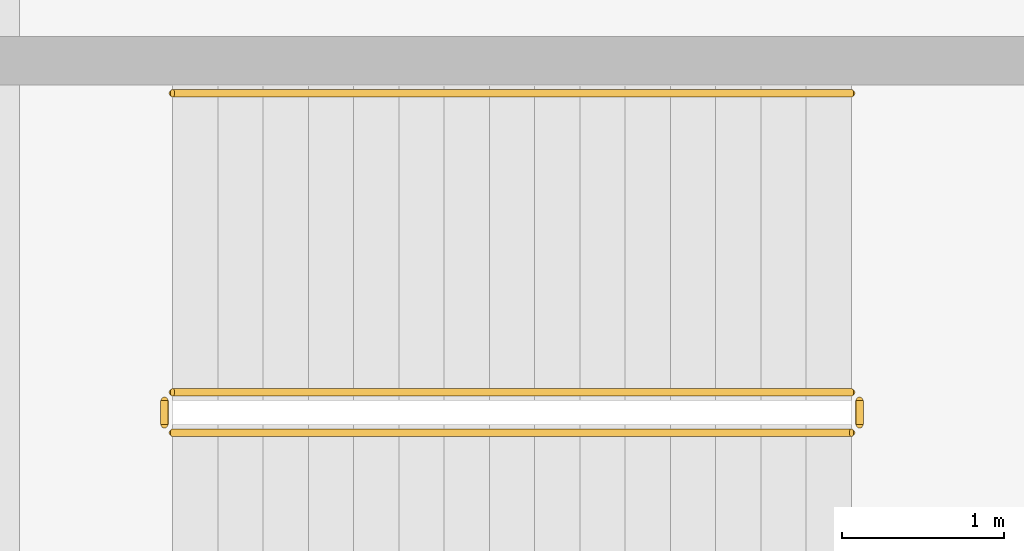
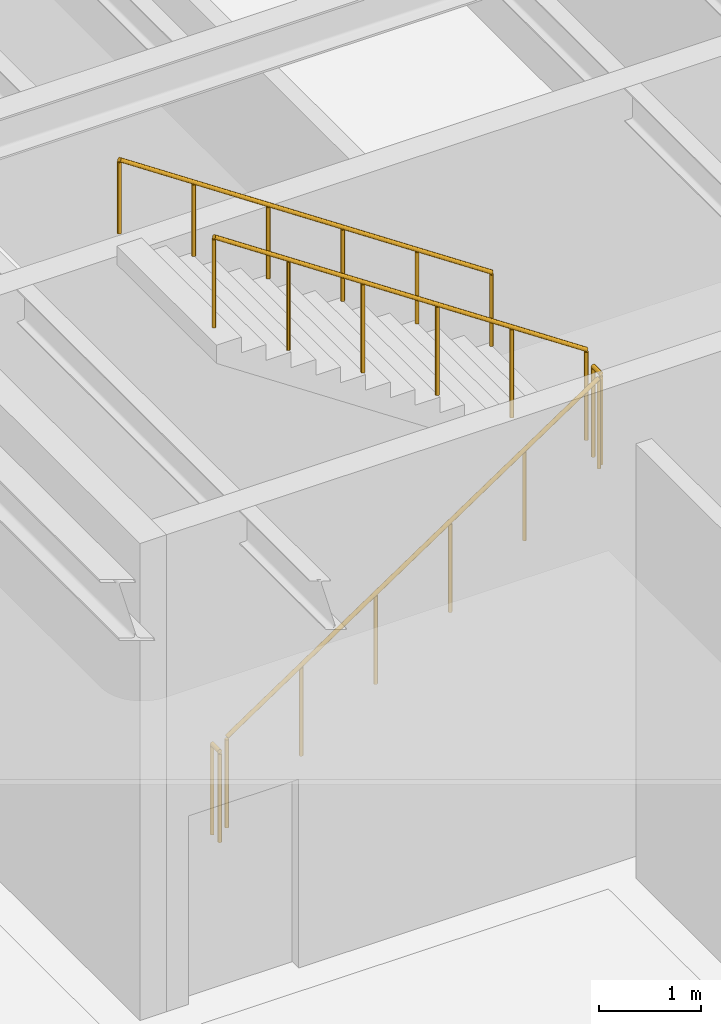
# One storey, part 64 of 83: 5 railings.
"""IFC4 building model written with IfcOpenShell, lengths in metres."""

from ifc_helpers import new_model, si_unit, direction, frame, origin, origin_2d, place, context, subcontext, project, spatial, circle, extrude, material, type_object, element, save


model = new_model("IFC4")

# Units and contexts
model_context = context("Model", 3, precision=1e-05, world=origin(), true_north=direction((0.0, 1.0)))
body_context = subcontext(model_context, "Body", "Model", "MODEL_VIEW")
ifc_project = project(units=[si_unit("LENGTHUNIT", "METRE"), si_unit("AREAUNIT", "SQUARE_METRE"), si_unit("VOLUMEUNIT", "CUBIC_METRE"), si_unit("PLANEANGLEUNIT", "RADIAN"), si_unit("MASSUNIT", "GRAM", prefix="KILO")], contexts=[model_context])

# Site, building, storey
site_placement = place(None, origin())
site = spatial("IfcSite", under=ifc_project, at=site_placement, CompositionType="ELEMENT")
building_placement = place(site_placement, origin())
building = spatial("IfcBuilding", under=site, at=building_placement, Name="Zlatogorsky Bluff Art Gallery", CompositionType="ELEMENT")
storey_placement = place(building_placement, frame((0.0, 0.0, 10.800048828125)))
storey = spatial("IfcBuildingStorey", under=building, at=storey_placement, Name="L02", CompositionType="ELEMENT", Elevation=10.800048828125)

# Railings
ifc_material_1 = material(Name="Architectural Bronze and Laminated Glass", Category="glass")
railing_type_1 = type_object("IfcRailingType", Name="Gallery Guard Rail 1100mm", PredefinedType="GUARDRAIL", material=ifc_material_1)
railing_1_placement = place(storey_placement, frame((38.75, 103.10009765625, 0.1875)))
element("IfcRailing", 1, at=railing_1_placement, inside=storey, type_object=railing_type_1, Name="L02 ST-07 stair guard 1", PredefinedType="GUARDRAIL", context=body_context, shape_type="SweptSolid", body=[
    extrude(circle(Radius=0.02392578125, at=origin_2d()), frame((0.0, 0.0, 1.076171875), z_axis=(0.830904186295, 0.0, 0.556415522067), x_axis=(0.0, 1.0, 0.0)), (0.0, 0.0, 1.0), 5.0546875),
    extrude(circle(Radius=0.02099609375, at=origin_2d()), origin(), (0.0, 0.0, 1.0), 1.052001953125),
    extrude(circle(Radius=0.02099609375, at=origin_2d()), frame((0.840087890625, 0.0, 0.5625)), (0.0, 0.0, 1.0), 1.052001953125),
    extrude(circle(Radius=0.02099609375, at=origin_2d()), frame((1.679931640625, 0.0, 1.125)), (0.0, 0.0, 1.0), 1.052001953125),
    extrude(circle(Radius=0.02099609375, at=origin_2d()), frame((2.52001953125, 0.0, 1.6875)), (0.0, 0.0, 1.0), 1.052001953125),
    extrude(circle(Radius=0.02099609375, at=origin_2d()), frame((3.35986328125, 0.0, 2.25)), (0.0, 0.0, 1.0), 1.052001953125),
    extrude(circle(Radius=0.02099609375, at=origin_2d()), frame((4.199951171875, 0.0, 2.8125)), (0.0, 0.0, 1.0), 1.052001953125),
])
railing_2_placement = place(storey_placement, frame((43.0, 103.14990234375, 3.0)))
element("IfcRailing", 2, at=railing_2_placement, inside=storey, type_object=railing_type_1, Name="L02 ST-07 stair guard 2", PredefinedType="GUARDRAIL", context=body_context, shape_type="SweptSolid", body=[
    extrude(circle(Radius=0.02392578125, at=origin_2d()), frame((0.0, 0.0, 1.076171875), z_axis=(0.0, 1.0, 0.0), x_axis=(-1.0, 0.0, 0.0)), (0.0, 0.0, 1.0), 0.150146484375),
    extrude(circle(Radius=0.02099609375, at=origin_2d()), origin(), (0.0, 0.0, 1.0), 1.052001953125),
    extrude(circle(Radius=0.02099609375, at=origin_2d()), frame((0.0, 0.150146484375, 0.0)), (0.0, 0.0, 1.0), 1.052001953125),
])
railing_3_placement = place(storey_placement, frame((42.949951171875, 103.35009765625, 3.1875)))
element("IfcRailing", 3, at=railing_3_placement, inside=storey, type_object=railing_type_1, Name="L02 ST-07 stair guard 3", PredefinedType="GUARDRAIL", context=body_context, shape_type="SweptSolid", body=[
    extrude(circle(Radius=0.02392578125, at=origin_2d()), frame((0.0, 0.0, 1.076171875), z_axis=(-0.830904186295, 0.0, 0.556415522067), x_axis=(0.0, -1.0, 0.0)), (0.0, 0.0, 1.0), 5.0546875),
    extrude(circle(Radius=0.02099609375, at=origin_2d()), origin(), (0.0, 0.0, 1.0), 1.052001953125),
    extrude(circle(Radius=0.02099609375, at=origin_2d()), frame((-0.840087890625, 0.0, 0.5625)), (0.0, 0.0, 1.0), 1.052001953125),
    extrude(circle(Radius=0.02099609375, at=origin_2d()), frame((-1.679931640625, 0.0, 1.125)), (0.0, 0.0, 1.0), 1.052001953125),
    extrude(circle(Radius=0.02099609375, at=origin_2d()), frame((-2.52001953125, 0.0, 1.6875)), (0.0, 0.0, 1.0), 1.052001953125),
    extrude(circle(Radius=0.02099609375, at=origin_2d()), frame((-3.35986328125, 0.0, 2.25)), (0.0, 0.0, 1.0), 1.052001953125),
    extrude(circle(Radius=0.02099609375, at=origin_2d()), frame((-4.199951171875, 0.0, 2.8125)), (0.0, 0.0, 1.0), 1.052001953125),
])
railing_4_placement = place(storey_placement, frame((38.699951171875, 103.14990234375, 0.0)))
element("IfcRailing", 4, at=railing_4_placement, inside=storey, type_object=railing_type_1, Name="L02 ST-07 stair guard 4", PredefinedType="GUARDRAIL", context=body_context, shape_type="SweptSolid", body=[
    extrude(circle(Radius=0.02392578125, at=origin_2d()), frame((0.0, 0.0, 1.076171875), z_axis=(0.0, 1.0, 0.0), x_axis=(-1.0, 0.0, 0.0)), (0.0, 0.0, 1.0), 0.150146484375),
    extrude(circle(Radius=0.02099609375, at=origin_2d()), origin(), (0.0, 0.0, 1.0), 1.052001953125),
    extrude(circle(Radius=0.02099609375, at=origin_2d()), frame((0.0, 0.150146484375, 0.0)), (0.0, 0.0, 1.0), 1.052001953125),
])
ifc_material_2 = material(Name="Brushed Stainless Steel", Category="steel")
railing_type_2 = type_object("IfcRailingType", Name="Stair Pitch Handrail 900mm", PredefinedType="HANDRAIL", material=ifc_material_2)
railing_5_placement = place(storey_placement, frame((42.949951171875, 105.199951171875, 3.1875)))
element("IfcRailing", 5, at=railing_5_placement, inside=storey, type_object=railing_type_2, Name="L02 ST-07 stair handrail 2", PredefinedType="HANDRAIL", context=body_context, shape_type="SweptSolid", body=[
    extrude(circle(Radius=0.02392578125, at=origin_2d()), frame((0.0, 0.0, 0.8759765625), z_axis=(-0.830904186295, 0.0, 0.556415522067), x_axis=(0.0, -1.0, 0.0)), (0.0, 0.0, 1.0), 5.0546875),
    extrude(circle(Radius=0.02099609375, at=origin_2d()), origin(), (0.0, 0.0, 1.0), 0.851806640625),
    extrude(circle(Radius=0.02099609375, at=origin_2d()), frame((-0.840087890625, 0.0, 0.5625)), (0.0, 0.0, 1.0), 0.851806640625),
    extrude(circle(Radius=0.02099609375, at=origin_2d()), frame((-1.679931640625, 0.0, 1.125)), (0.0, 0.0, 1.0), 0.851806640625),
    extrude(circle(Radius=0.02099609375, at=origin_2d()), frame((-2.52001953125, 0.0, 1.6875)), (0.0, 0.0, 1.0), 0.851806640625),
    extrude(circle(Radius=0.02099609375, at=origin_2d()), frame((-3.35986328125, 0.0, 2.25)), (0.0, 0.0, 1.0), 0.851806640625),
    extrude(circle(Radius=0.02099609375, at=origin_2d()), frame((-4.199951171875, 0.0, 2.8125)), (0.0, 0.0, 1.0), 0.851806640625),
])

save(model, "model.ifc")
